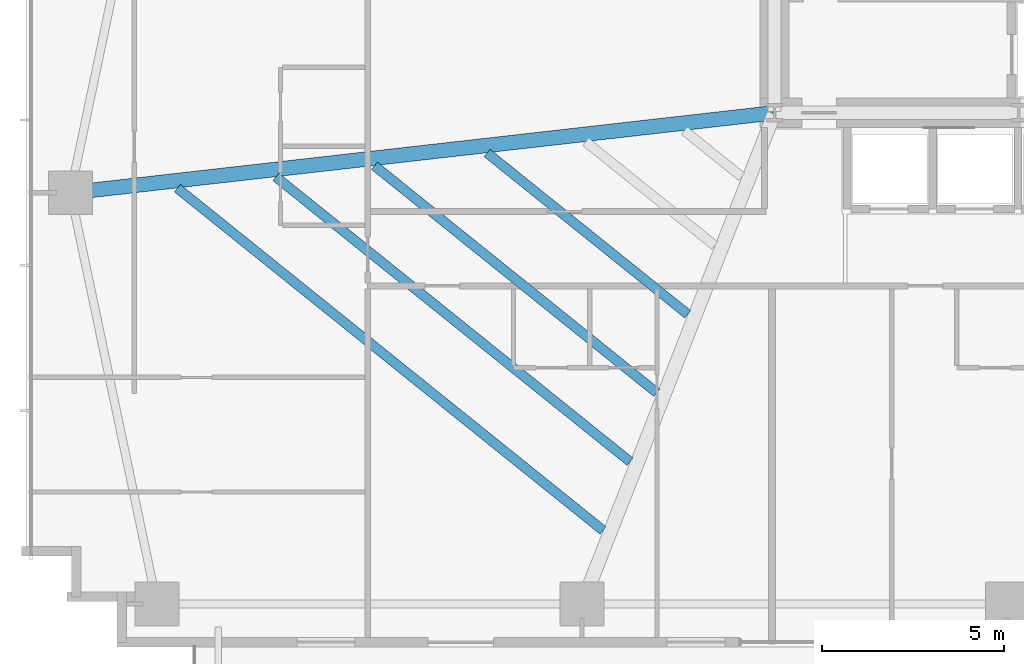
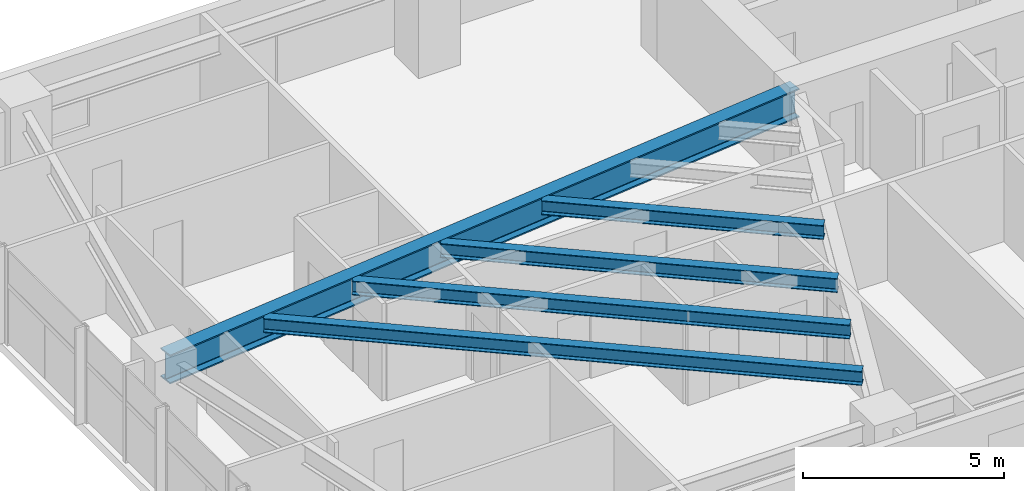
# One storey, part 5 of 25: 5 beams.
"""IFC4 building model written with IfcOpenShell, lengths in metres."""

from ifc_helpers import new_model, si_unit, direction, frame, origin, origin_2d, place, context, subcontext, project, spatial, i_section, extrude, source, transform, mapped, material, material_profile, profile_set, type_object, type_shapes, element, save


model = new_model("IFC4")

# Units and contexts
model_context = context("Model", 3, precision=1e-05, world=origin(), true_north=direction((0.0, 1.0)))
body_context = subcontext(model_context, "Body", "Model", "MODEL_VIEW")
ifc_project = project(units=[si_unit("LENGTHUNIT", "METRE"), si_unit("AREAUNIT", "SQUARE_METRE"), si_unit("VOLUMEUNIT", "CUBIC_METRE"), si_unit("PLANEANGLEUNIT", "RADIAN"), si_unit("MASSUNIT", "GRAM", prefix="KILO")], contexts=[model_context])

# Site, building, storey
site_placement = place(None, origin())
site = spatial("IfcSite", under=ifc_project, at=site_placement, CompositionType="ELEMENT")
building_placement = place(site_placement, origin())
building = spatial("IfcBuilding", under=site, at=building_placement, Name="Astriad Promenade Condominiums", CompositionType="ELEMENT")
storey_placement = place(building_placement, frame((0.0, 0.0, 45.39990234375)))
storey = spatial("IfcBuildingStorey", under=building, at=storey_placement, Name="L12", CompositionType="ELEMENT", Elevation=45.39990234375)

# Beams
ifc_material = material(Name="Steel ASTM A992 Grade 50", Category="steel")
ifc_material_profile_1 = material_profile(ifc_material, i_section(OverallWidth=0.4013671875, OverallDepth=0.877197265625, WebThickness=0.022216796875, FlangeThickness=0.039794921875, FilletRadius=0.02294921875, at=origin_2d()), Name="W33X263")
ifc_profile_set_1 = profile_set([ifc_material_profile_1], Name="Steel ASTM A992 Grade 50")
beam_type_1 = type_object("IfcBeamType", Name="STEEL PRIMARY GIRDER W33X263", PredefinedType="BEAM", material=ifc_profile_set_1)
shared_shape_1 = source(origin(), body_context, "Body", "SweptSolid", [
    extrude(i_section(OverallWidth=0.4013671875, OverallDepth=0.877197265625, WebThickness=0.022216796875, FlangeThickness=0.039794921875, FilletRadius=0.02294921875, at=origin_2d()), origin(), (0.0, 0.0, 1.0), 19.424560546875),
])
type_shapes(beam_type_1, [shared_shape_1])
beam_1_placement = place(storey_placement, frame((7.059814453125, 15.20458984375, 2.501708984375), z_axis=(0.993618675315, 0.11279152479, 0.0), x_axis=(-0.11279152479, 0.993618675315, 0.0)))
element("IfcBeam", 1, at=beam_1_placement, inside=storey, type_object=beam_type_1, Name="Primary Floor Girder PG-WM-L12", PredefinedType="BEAM", context=body_context, shape_type="MappedRepresentation", body=[
    mapped(shared_shape_1, transform((0.0, 0.0, 0.0), scale=1.0)),
])
ifc_material_profile_2 = material_profile(ifc_material, i_section(OverallWidth=0.26318359375, OverallDepth=0.425537109375, WebThickness=0.01318359375, FlangeThickness=0.022216796875, FilletRadius=0.013916015625, at=origin_2d()), Name="W16X89")
ifc_profile_set_2 = profile_set([ifc_material_profile_2], Name="Steel ASTM A992 Grade 50")
beam_type_2 = type_object("IfcBeamType", Name="STEEL FLOOR JOIST W16X89", PredefinedType="JOIST", material=ifc_profile_set_2)
shared_shape_2 = source(origin(), body_context, "Body", "SweptSolid", [
    extrude(i_section(OverallWidth=0.26318359375, OverallDepth=0.425537109375, WebThickness=0.01318359375, FlangeThickness=0.022216796875, FilletRadius=0.013916015625, at=origin_2d()), origin(), (0.0, 0.0, 1.0), 15.033447265625),
])
beam_2_placement = place(storey_placement, frame((9.961181640625, 15.32470703125, 2.727294921875), z_axis=(0.779353434302, -0.626584570862, 0.0), x_axis=(0.626584570862, 0.779353434302, 0.0)))
element("IfcBeam", 2, at=beam_2_placement, inside=storey, type_object=beam_type_2, Name="Secondary Composite Floor Joist JW1-1-L12", PredefinedType="JOIST", context=body_context, shape_type="MappedRepresentation", body=[
    mapped(shared_shape_2, transform((0.0, 0.0, 0.0), scale=1.0)),
])
shared_shape_3 = source(origin(), body_context, "Body", "SweptSolid", [
    extrude(i_section(OverallWidth=0.26318359375, OverallDepth=0.425537109375, WebThickness=0.01318359375, FlangeThickness=0.022216796875, FilletRadius=0.013916015625, at=origin_2d()), origin(), (0.0, 0.0, 1.0), 12.50439453125),
])
beam_3_placement = place(storey_placement, frame((12.67431640625, 15.6328125, 2.727294921875), z_axis=(0.77935791062, -0.626579003122, 0.0), x_axis=(0.626579003122, 0.77935791062, 0.0)))
element("IfcBeam", 3, at=beam_3_placement, inside=storey, type_object=beam_type_2, Name="Secondary Composite Floor Joist JW1-2-L12", PredefinedType="JOIST", context=body_context, shape_type="MappedRepresentation", body=[
    mapped(shared_shape_3, transform((0.0, 0.0, 0.0), scale=1.0)),
])
shared_shape_4 = source(origin(), body_context, "Body", "SweptSolid", [
    extrude(i_section(OverallWidth=0.26318359375, OverallDepth=0.425537109375, WebThickness=0.01318359375, FlangeThickness=0.022216796875, FilletRadius=0.013916015625, at=origin_2d()), origin(), (0.0, 0.0, 1.0), 9.97509765625),
])
beam_4_placement = place(storey_placement, frame((15.387451171875, 15.94091796875, 2.727294921875), z_axis=(0.779355047887, -0.626582563859, 0.0), x_axis=(0.626582563859, 0.779355047887, 0.0)))
element("IfcBeam", 4, at=beam_4_placement, inside=storey, type_object=beam_type_2, Name="Secondary Composite Floor Joist JW1-3-L12", PredefinedType="JOIST", context=body_context, shape_type="MappedRepresentation", body=[
    mapped(shared_shape_4, transform((0.0, 0.0, 0.0), scale=1.0)),
])
shared_shape_5 = source(origin(), body_context, "Body", "SweptSolid", [
    extrude(i_section(OverallWidth=0.26318359375, OverallDepth=0.425537109375, WebThickness=0.01318359375, FlangeThickness=0.022216796875, FilletRadius=0.013916015625, at=origin_2d()), origin(), (0.0, 0.0, 1.0), 7.08447265625),
])
type_shapes(beam_type_2, [shared_shape_2, shared_shape_3, shared_shape_4, shared_shape_5])
beam_5_placement = place(storey_placement, frame((18.48828125, 16.292724609375, 2.727294921875), z_axis=(0.779353562297, -0.62658441166, 0.0), x_axis=(0.62658441166, 0.779353562297, 0.0)))
element("IfcBeam", 5, at=beam_5_placement, inside=storey, type_object=beam_type_2, Name="Secondary Composite Floor Joist JW1-4-L12", PredefinedType="JOIST", context=body_context, shape_type="MappedRepresentation", body=[
    mapped(shared_shape_5, transform((0.0, 0.0, 0.0), scale=1.0)),
])

save(model, "model.ifc")
